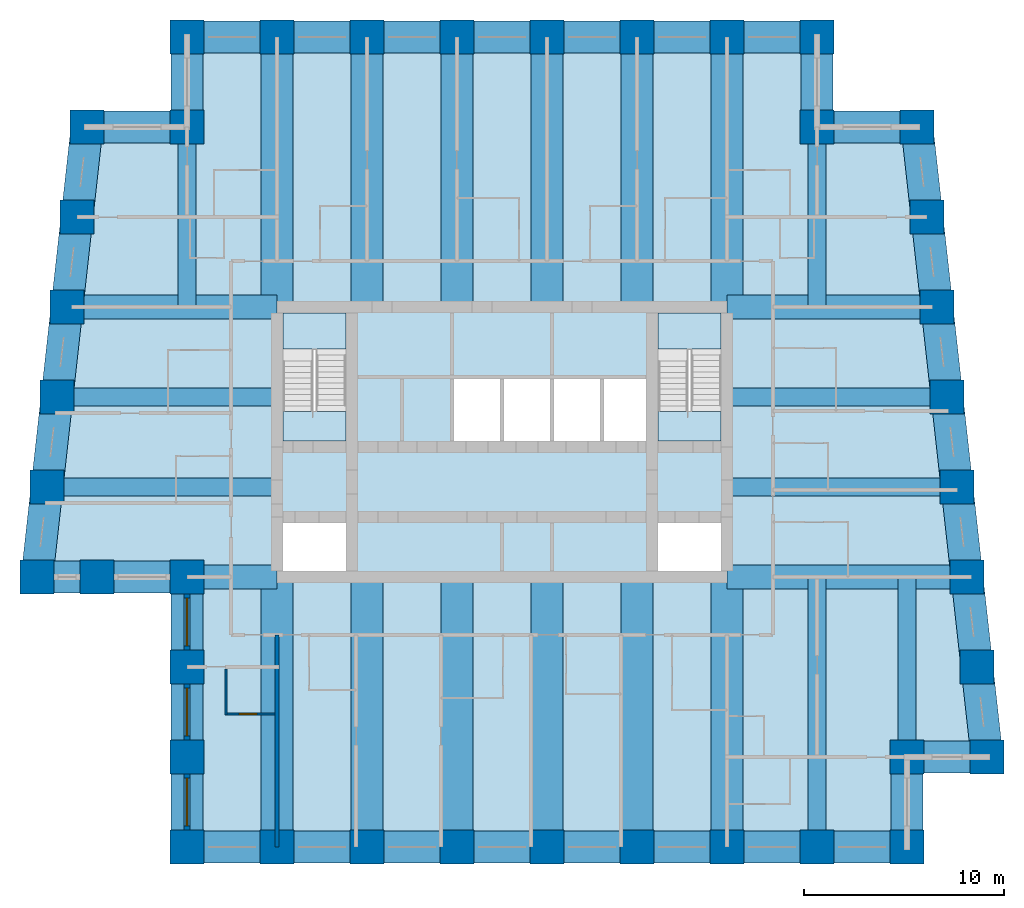
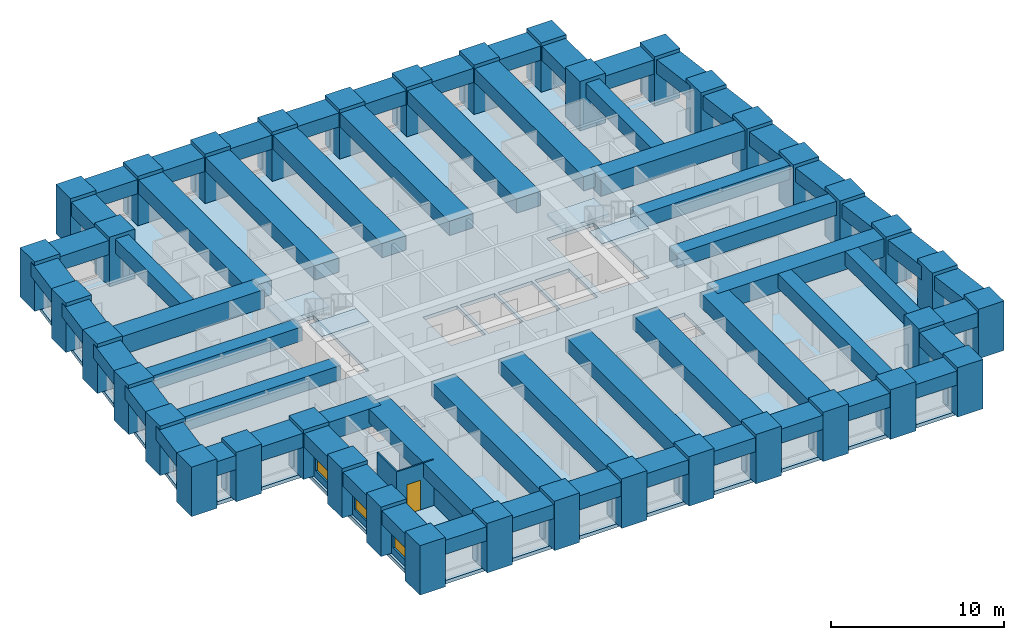
# One storey, part 1 of 8: 62 beams, 38 columns, 5 slabs, 4 walls, 3 windows, 1 door, 4 openings, 2 elements without a shape of their own.
"""IFC4 building model written with IfcOpenShell, lengths in metres."""

import ifcopenshell
import ifcopenshell.guid

model = None  # the IFC model being written
_history = None  # IfcOwnerHistory: only IFC2X3 demands one
_inside = {}  # id of a spatial element -> (the spatial element, [elements in it])
_under = {}  # id of a project, library or spatial element -> (it, [spatial elements below it])
_declared = {}  # id of a project -> (the project, [libraries it declares])
_typed = {}  # id of a type object -> (the type object, [elements of that type])
_made_of = {}  # id of a material, layer set ... -> (it, [elements and type objects made of it])


def new_model(schema):
    """Start an empty IFC model of exactly this schema.

    Asked for "IFC4X3", IfcOpenShell would pick the latest addendum, in which some entities
    have other attributes; the version numbers below select the first issue.
    IFC2X3 requires an IfcOwnerHistory on every rooted entity: one is made here for all.
    """
    global model, _history
    if schema == "IFC4X3":
        model = ifcopenshell.file(schema_version=(4, 3, 0, 0))
    else:
        model = ifcopenshell.file(schema=schema)
    _inside.clear()
    _under.clear()
    _declared.clear()
    _typed.clear()
    _made_of.clear()
    _history = None
    if model.schema == "IFC2X3":
        org = make("IfcOrganization", Name="unknown")
        user = make(
            "IfcPersonAndOrganization",
            ThePerson=make("IfcPerson", FamilyName="unknown"),
            TheOrganization=org,
        )
        app = make(
            "IfcApplication",
            ApplicationDeveloper=org,
            Version="unknown",
            ApplicationFullName="unknown",
            ApplicationIdentifier="unknown",
        )
        _history = make(
            "IfcOwnerHistory",
            OwningUser=user,
            OwningApplication=app,
            ChangeAction="ADDED",
            CreationDate=0,
        )
    return model


def make(cls, **values):
    """One entity of the class cls with the attributes given. An attribute that is None is left unset."""
    return model.create_entity(
        cls, **{name: value for name, value in values.items() if value is not None}
    )


def rooted(cls, **values):
    """An entity with a GlobalId (a new one), such as an element, a storey or a relation."""
    return make(cls, GlobalId=ifcopenshell.guid.new(), OwnerHistory=_history, **values)


def si_unit(unit_type, name, prefix=None):
    """IfcSIUnit, for example si_unit("LENGTHUNIT", "METRE", prefix="MILLI")."""
    return make("IfcSIUnit", UnitType=unit_type, Prefix=prefix, Name=name)


def assignment(units):
    """IfcUnitAssignment: the units of a project."""
    return None if units is None else make("IfcUnitAssignment", Units=units)


def point(xyz):
    """IfcCartesianPoint."""
    return None if xyz is None else make("IfcCartesianPoint", Coordinates=xyz)


def direction(xyz):
    """IfcDirection."""
    return None if xyz is None else make("IfcDirection", DirectionRatios=xyz)


def frame(location, z_axis=None, x_axis=None):
    """IfcAxis2Placement3D, a coordinate frame: its origin and axes. An axis left out is left unset."""
    return make(
        "IfcAxis2Placement3D",
        Location=point(location),
        Axis=direction(z_axis),
        RefDirection=direction(x_axis),
    )


def frame_2d(location, x_axis=None):
    """IfcAxis2Placement2D, a coordinate frame in the plane: its origin and x axis."""
    return make(
        "IfcAxis2Placement2D", Location=point(location), RefDirection=direction(x_axis)
    )


def origin():
    """The frame at (0, 0, 0) with its axes left unset."""
    return frame((0.0, 0.0, 0.0))


def origin_2d():
    """The frame at (0, 0) in the plane with its x axis left unset."""
    return frame_2d((0.0, 0.0))


def place(relative_to, where):
    """IfcLocalPlacement: puts the frame where relative to a parent placement (None: the world)."""
    return make(
        "IfcLocalPlacement", PlacementRelTo=relative_to, RelativePlacement=where
    )


def context(
    kind, dimensions, precision=None, world=None, true_north=None, identifier=None
):
    """IfcGeometricRepresentationContext, for example the 3D "Model" context."""
    return make(
        "IfcGeometricRepresentationContext",
        ContextIdentifier=identifier,
        ContextType=kind,
        CoordinateSpaceDimension=dimensions,
        Precision=precision,
        WorldCoordinateSystem=world,
        TrueNorth=true_north,
    )


def subcontext(parent, identifier, kind, view, scale=None):
    """IfcGeometricRepresentationSubContext, for example "Body" below "Model"."""
    return make(
        "IfcGeometricRepresentationSubContext",
        ContextIdentifier=identifier,
        ContextType=kind,
        ParentContext=parent,
        TargetScale=scale,
        TargetView=view,
    )


def project(units=None, contexts=None):
    """IfcProject with its units and contexts."""
    return rooted(
        "IfcProject",
        Name="project",
        RepresentationContexts=contexts,
        UnitsInContext=assignment(units),
    )


def spatial(cls, under=None, at=None, **own):
    """A site, building, storey or space (cls), placed at a placement, below another one or the project."""
    s = rooted(cls, ObjectPlacement=at, **own)
    if under is not None:
        _under.setdefault(under.id(), (under, []))[1].append(s)
    return s


def polyline(points):
    """IfcPolyline through the points."""
    return make("IfcPolyline", Points=[point(p) for p in points])


def profile(cls, at=None, kind="AREA", **sizes):
    """A parametric profile (cls). Its sizes go by their IFC names, for example OverallWidth=200.0."""
    return make(cls, ProfileType=kind, Position=at, **sizes)


def rectangle(**sizes):
    """IfcRectangleProfileDef."""
    return profile("IfcRectangleProfileDef", **sizes)


def outline(outer, holes=None, kind="AREA"):
    """IfcArbitraryClosedProfileDef: a profile drawn as a closed curve; with holes, ...WithVoids."""
    if holes is None:
        return make("IfcArbitraryClosedProfileDef", ProfileType=kind, OuterCurve=outer)
    return make(
        "IfcArbitraryProfileDefWithVoids",
        ProfileType=kind,
        OuterCurve=outer,
        InnerCurves=holes,
    )


def extrude(swept, where, along, depth):
    """IfcExtrudedAreaSolid: the profile swept, set in the frame where, extruded along a direction by depth."""
    return make(
        "IfcExtrudedAreaSolid",
        SweptArea=swept,
        Position=where,
        ExtrudedDirection=direction(along),
        Depth=depth,
    )


def shape(context_of_items, identifier, shape_type, items):
    """IfcShapeRepresentation: the items that make up one representation, for example the "Body"."""
    return make(
        "IfcShapeRepresentation",
        ContextOfItems=context_of_items,
        RepresentationIdentifier=identifier,
        RepresentationType=shape_type,
        Items=items,
    )


def material(Name=None, Category=None):
    """IfcMaterial."""
    return make("IfcMaterial", Name=Name, Category=Category)


def layer(
    of_material, thickness, ventilated=None, Name=None, Category=None, Priority=None
):
    """IfcMaterialLayer: one layer of a wall or slab, of a material (None: an air gap)."""
    return make(
        "IfcMaterialLayer",
        Material=of_material,
        LayerThickness=thickness,
        IsVentilated=ventilated,
        Name=Name,
        Category=Category,
        Priority=Priority,
    )


def layer_set(layers, Name=None):
    """IfcMaterialLayerSet."""
    return make("IfcMaterialLayerSet", MaterialLayers=layers, LayerSetName=Name)


def material_profile(
    of_material, cross_section, Name=None, Category=None, Priority=None
):
    """IfcMaterialProfile: a cross section and its material."""
    return make(
        "IfcMaterialProfile",
        Name=Name,
        Material=of_material,
        Profile=cross_section,
        Priority=Priority,
        Category=Category,
    )


def profile_set(profiles, Name=None, composite=None):
    """IfcMaterialProfileSet."""
    return make(
        "IfcMaterialProfileSet",
        Name=Name,
        MaterialProfiles=profiles,
        CompositeProfile=composite,
    )


def made_of(thing, what):
    """Note that an element or type object is made of a material, layer set ...; save() writes the relation."""
    if what is not None:
        _made_of.setdefault(what.id(), (what, []))[1].append(thing)
    return thing


def type_object(cls, material=None, **own):
    """A type object (cls), such as IfcWallType, which elements share."""
    return made_of(rooted(cls, **own), material)


def element(
    cls,
    number,
    at=None,
    inside=None,
    cuts=None,
    type_object=None,
    material=None,
    context=None,
    identifier="Body",
    shape_type=None,
    held_by="IfcProductDefinitionShape",
    body=None,
    shapes=None,
    **own,
):
    """One element of the class cls, such as IfcWall. Its Tag is "e" and its number.

    at: its placement. inside: the storey or other place that contains it. cuts: it is an
    opening in that element (IfcRelVoidsElement). A single representation is given by context,
    identifier, shape_type and body (its items); several are given by shapes. held_by: the class
    of the entity that holds the representations. save() writes the other relations.
    """
    e = rooted(cls, Tag="e%d" % number, ObjectPlacement=at, **own)
    if body is not None:
        shapes = [shape(context, identifier, shape_type, body)]
    if shapes is not None:
        e.Representation = make(held_by, Representations=shapes)
    if inside is not None:
        _inside.setdefault(inside.id(), (inside, []))[1].append(e)
    if cuts is not None:
        rooted(
            "IfcRelVoidsElement", RelatingBuildingElement=cuts, RelatedOpeningElement=e
        )
    if type_object is not None:
        _typed.setdefault(type_object.id(), (type_object, []))[1].append(e)
    return made_of(e, material)


def fill(opening, filler):
    """IfcRelFillsElement: the door or window that sits in an opening."""
    return rooted(
        "IfcRelFillsElement",
        RelatingOpeningElement=opening,
        RelatedBuildingElement=filler,
    )


def aggregate(whole, parts):
    """IfcRelAggregates: a whole, such as a stair, and the parts it consists of."""
    return rooted("IfcRelAggregates", RelatingObject=whole, RelatedObjects=parts)


def save(model, path):
    """Write the relations noted so far, then the file.

    IfcRelAggregates (storeys below a building ...), IfcRelContainedInSpatialStructure (elements
    in a storey), IfcRelDefinesByType, IfcRelAssociatesMaterial and IfcRelDeclares: one each for
    every whole, place, type object, material and project.
    """
    for whole, parts in _under.values():
        aggregate(whole, parts)
    for where, things in _inside.values():
        rooted(
            "IfcRelContainedInSpatialStructure",
            RelatedElements=things,
            RelatingStructure=where,
        )
    for kind, things in _typed.values():
        rooted("IfcRelDefinesByType", RelatedObjects=things, RelatingType=kind)
    for what, things in _made_of.values():
        rooted("IfcRelAssociatesMaterial", RelatedObjects=things, RelatingMaterial=what)
    for by, libraries in _declared.values():
        rooted("IfcRelDeclares", RelatingContext=by, RelatedDefinitions=libraries)
    model.write(path)


model = new_model("IFC4")

# Units and contexts
model_context = context("Model", 3, precision=1e-05, world=origin(), true_north=direction((0.0, 1.0)))
body_context = subcontext(model_context, "Body", "Model", "MODEL_VIEW")
ifc_project = project(units=[si_unit("LENGTHUNIT", "METRE"), si_unit("AREAUNIT", "SQUARE_METRE"), si_unit("VOLUMEUNIT", "CUBIC_METRE"), si_unit("PLANEANGLEUNIT", "RADIAN"), si_unit("MASSUNIT", "GRAM", prefix="KILO")], contexts=[model_context])

# Site, building, storey
site_placement = place(None, origin())
site = spatial("IfcSite", under=ifc_project, at=site_placement, CompositionType="ELEMENT")
building_placement = place(site_placement, origin())
building = spatial("IfcBuilding", under=site, at=building_placement, Name="Kilele Tower Hotel", CompositionType="ELEMENT")
storey_placement = place(building_placement, frame((0.0, 0.0, 204.39990234375)))
storey = spatial("IfcBuildingStorey", under=building, at=storey_placement, Name="L53", CompositionType="ELEMENT", Elevation=204.39990234375)

# Columns
ifc_material_1 = material(Name="Concrete C60/75", Category="concrete")
ifc_material_profile_1 = material_profile(ifc_material_1, rectangle(XDim=1.699951171875, YDim=1.699951171875, at=origin_2d()))
ifc_profile_set_1 = profile_set([ifc_material_profile_1], Name="Concrete C60/75")
column_type = type_object("IfcColumnType", Name="Tube column RC 1700x1700 C60/75", PredefinedType="COLUMN", material=ifc_profile_set_1)
for number, where, z_axis, x_axis, name in (
    (1, (1.5, 13.5, 0.0), (0.0, 0.0, 1.0), (1.0, 0.0, 0.0), "Column TC4 L53"),
    (2, (4.5, 13.5, 0.0), (0.0, 0.0, 1.0), (1.0, 0.0, 0.0), "Column TC4 L53"),
    (3, (9.0, 13.5, 0.0), (0.0, 0.0, 1.0), (1.0, 0.0, 0.0), "Column TC4 L53"),
    (4, (9.0, 9.0, 0.0), (0.0, 0.0, 1.0), (1.0, 0.0, 0.0), "Column TC4 L53"),
    (5, (9.0, 4.5, 0.0), (0.0, 0.0, 1.0), (1.0, 0.0, 0.0), "Column TC4 L53"),
    (6, (9.0, 0.0, 0.0), (0.0, 0.0, 1.0), (1.0, 0.0, 0.0), "Column TC4 L53"),
    (7, (13.5, 0.0, 0.0), (0.0, 0.0, 1.0), (1.0, 0.0, 0.0), "Column TC4 L53"),
    (8, (18.0, 0.0, 0.0), (0.0, 0.0, 1.0), (1.0, 0.0, 0.0), "Column TC4 L53"),
    (9, (22.5, 0.0, 0.0), (0.0, 0.0, 1.0), (1.0, 0.0, 0.0), "Column TC4 L53"),
    (10, (27.0, 0.0, 0.0), (0.0, 0.0, 1.0), (1.0, 0.0, 0.0), "Column TC4 L53"),
    (11, (31.5, 0.0, 0.0), (0.0, 0.0, 1.0), (1.0, 0.0, 0.0), "Column TC4 L53"),
    (12, (36.0, 0.0, 0.0), (0.0, 0.0, 1.0), (1.0, 0.0, 0.0), "Column TC4 L53"),
    (13, (40.5, 0.0, 0.0), (0.0, 0.0, 1.0), (1.0, 0.0, 0.0), "Column TC4 L53"),
    (14, (45.0, 0.0, 0.0), (0.0, 0.0, 1.0), (1.0, 0.0, 0.0), "Column TC4 L53"),
    (15, (45.0, 4.5, 0.0), (0.0, 0.0, 1.0), (1.0, 0.0, 0.0), "Column TC4 L53"),
    (16, (49.0, 4.5, 0.0), (0.0, 0.0, 1.0), (1.0, 0.0, 0.0), "Column TC4 L53"),
    (17, (48.5, 9.0, 0.0), (0.0, 0.0, 1.0), (1.0, 0.0, 0.0), "Column TC4 L53"),
    (18, (48.0, 13.5, 0.0), (0.0, 0.0, 1.0), (1.0, 0.0, 0.0), "Column TC4 L53"),
    (19, (47.5, 18.0, 0.0), (0.0, 0.0, 1.0), (1.0, 0.0, 0.0), "Column TC4 L53"),
    (20, (47.0, 22.5, 0.0), (0.0, 0.0, 1.0), (1.0, 0.0, 0.0), "Column TC4 L53"),
    (21, (46.5, 27.0, 0.0), (0.0, 0.0, 1.0), (1.0, 0.0, 0.0), "Column TC4 L53"),
    (22, (46.0, 31.5, 0.0), (0.0, 0.0, 1.0), (1.0, 0.0, 0.0), "Column TC4 L53"),
    (23, (45.5, 36.0, 0.0), (0.0, 0.0, 1.0), (1.0, 0.0, 0.0), "Column TC4 L53"),
    (24, (40.5, 36.0, 0.0), (0.0, 0.0, 1.0), (1.0, 0.0, 0.0), "Column TC4 L53"),
    (25, (40.5, 40.5, 0.0), (0.0, 0.0, 1.0), (1.0, 0.0, 0.0), "Column TC4 L53"),
    (26, (36.0, 40.5, 0.0), (0.0, 0.0, 1.0), (1.0, 0.0, 0.0), "Column TC4 L53"),
    (27, (31.5, 40.5, 0.0), (0.0, 0.0, 1.0), (1.0, 0.0, 0.0), "Column TC4 L53"),
    (28, (27.0, 40.5, 0.0), (0.0, 0.0, 1.0), (1.0, 0.0, 0.0), "Column TC4 L53"),
    (29, (22.5, 40.5, 0.0), (0.0, 0.0, 1.0), (1.0, 0.0, 0.0), "Column TC4 L53"),
    (30, (18.0, 40.5, 0.0), (0.0, 0.0, 1.0), (1.0, 0.0, 0.0), "Column TC4 L53"),
    (31, (13.5, 40.5, 0.0), (0.0, 0.0, 1.0), (1.0, 0.0, 0.0), "Column TC4 L53"),
    (32, (9.0, 40.5, 0.0), (0.0, 0.0, 1.0), (1.0, 0.0, 0.0), "Column TC4 L53"),
    (33, (9.0, 36.0, 0.0), (0.0, 0.0, 1.0), (1.0, 0.0, 0.0), "Column TC4 L53"),
    (34, (4.0, 36.0, 0.0), (0.0, 0.0, 1.0), (1.0, 0.0, 0.0), "Column TC4 L53"),
    (35, (3.5, 31.5, 0.0), (0.0, 0.0, 1.0), (1.0, 0.0, 0.0), "Column TC4 L53"),
    (36, (3.0, 27.0, 0.0), (0.0, 0.0, 1.0), (1.0, 0.0, 0.0), "Column TC4 L53"),
    (37, (2.5, 22.5, 0.0), (0.0, 0.0, 1.0), (1.0, 0.0, 0.0), "Column TC4 L53"),
    (38, (2.0, 18.0, 0.0), (0.0, 0.0, 1.0), (1.0, 0.0, 0.0), "Column TC4 L53"),
):
    element("IfcColumn", number, at=place(storey_placement, frame(where, z_axis=z_axis, x_axis=x_axis)), inside=storey, type_object=column_type, Name=name, PredefinedType="COLUMN", context=body_context, shape_type="SweptSolid", body=[
        extrude(rectangle(XDim=1.699951171875, YDim=1.699951171875, at=origin_2d()), origin(), (0.0, 0.0, 1.0), 3.5),
    ])

# Beams
ifc_material_2 = material(Name="Concrete C60/75", Category="concrete")
ifc_material_profile_2 = material_profile(ifc_material_2, rectangle(XDim=1.60009765625, YDim=1.0, at=origin_2d()))
ifc_profile_set_2 = profile_set([ifc_material_profile_2], Name="Concrete C60/75")
beam_type_1 = type_object("IfcBeamType", Name="Beam RC 1600x1000 C60/75", PredefinedType="BEAM", material=ifc_profile_set_2)
for number, where, z_axis, x_axis, name in (
    (39, (13.5, 0.0, 2.75), (0.0, 1.0, 0.0), (-1.0, 0.0, 0.0), "Beam BC1 level L54"),
    (40, (18.0, 0.0, 2.75), (0.0, 1.0, 0.0), (-1.0, 0.0, 0.0), "Beam BC1 level L54"),
    (41, (22.5, 0.0, 2.75), (0.0, 1.0, 0.0), (-1.0, 0.0, 0.0), "Beam BC1 level L54"),
    (42, (27.0, 0.0, 2.75), (0.0, 1.0, 0.0), (-1.0, 0.0, 0.0), "Beam BC1 level L54"),
    (43, (31.5, 0.0, 2.75), (0.0, 1.0, 0.0), (-1.0, 0.0, 0.0), "Beam BC1 level L54"),
    (44, (36.0, 0.0, 2.75), (0.0, 1.0, 0.0), (-1.0, 0.0, 0.0), "Beam BC1 level L54"),
    (45, (36.0, 40.5, 2.75), (0.0, -1.0, 0.0), (1.0, 0.0, 0.0), "Beam BC1 level L54"),
    (46, (31.5, 40.5, 2.75), (0.0, -1.0, 0.0), (1.0, 0.0, 0.0), "Beam BC1 level L54"),
    (47, (27.0, 40.5, 2.75), (0.0, -1.0, 0.0), (1.0, 0.0, 0.0), "Beam BC1 level L54"),
    (48, (22.5, 40.5, 2.75), (0.0, -1.0, 0.0), (1.0, 0.0, 0.0), "Beam BC1 level L54"),
    (49, (18.0, 40.5, 2.75), (0.0, -1.0, 0.0), (1.0, 0.0, 0.0), "Beam BC1 level L54"),
    (50, (13.5, 40.5, 2.75), (0.0, -1.0, 0.0), (1.0, 0.0, 0.0), "Beam BC1 level L54"),
):
    element("IfcBeam", number, at=place(storey_placement, frame(where, z_axis=z_axis, x_axis=x_axis)), inside=storey, type_object=beam_type_1, Name=name, PredefinedType="BEAM", context=body_context, shape_type="SweptSolid", body=[
        extrude(rectangle(XDim=1.60009765625, YDim=1.0, at=origin_2d()), origin(), (0.0, 0.0, 1.0), 13.5),
    ])
ifc_material_3 = material(Name="Concrete C60/75", Category="concrete")
ifc_material_profile_3 = material_profile(ifc_material_3, rectangle(XDim=0.89990234375, YDim=1.0, at=origin_2d()))
ifc_profile_set_3 = profile_set([ifc_material_profile_3], Name="Concrete C60/75")
beam_type_2 = type_object("IfcBeamType", Name="Beam RC 900x1000 C60/75", PredefinedType="BEAM", material=ifc_profile_set_3)
beam_1_placement = place(storey_placement, frame((40.5, 0.0, 2.75), z_axis=(0.0, 1.0, 0.0), x_axis=(-1.0, 0.0, 0.0)))
element("IfcBeam", 51, at=beam_1_placement, inside=storey, type_object=beam_type_2, Name="Beam B8 level L54", PredefinedType="BEAM", context=body_context, shape_type="SweptSolid", body=[
    extrude(rectangle(XDim=0.89990234375, YDim=1.0, at=origin_2d()), origin(), (0.0, 0.0, 1.0), 13.5),
])
beam_2_placement = place(storey_placement, frame((45.0, 4.5, 2.75), z_axis=(0.0, 1.0, 0.0), x_axis=(-1.0, 0.0, 0.0)))
element("IfcBeam", 52, at=beam_2_placement, inside=storey, type_object=beam_type_2, Name="Beam B8 level L54", PredefinedType="BEAM", context=body_context, shape_type="SweptSolid", body=[
    extrude(rectangle(XDim=0.89990234375, YDim=1.0, at=origin_2d()), origin(), (0.0, 0.0, 1.0), 9.0),
])
beam_3_placement = place(storey_placement, frame((47.5, 18.0, 2.75), z_axis=(-1.0, 0.0, 0.0), x_axis=(0.0, -1.0, 0.0)))
element("IfcBeam", 53, at=beam_3_placement, inside=storey, type_object=beam_type_2, Name="Beam B8 level L54", PredefinedType="BEAM", context=body_context, shape_type="SweptSolid", body=[
    extrude(rectangle(XDim=0.89990234375, YDim=1.0, at=origin_2d()), origin(), (0.0, 0.0, 1.0), 11.5),
])
beam_4_placement = place(storey_placement, frame((47.0, 22.5, 2.75), z_axis=(-1.0, 0.0, 0.0), x_axis=(0.0, -1.0, 0.0)))
element("IfcBeam", 54, at=beam_4_placement, inside=storey, type_object=beam_type_2, Name="Beam B8 level L54", PredefinedType="BEAM", context=body_context, shape_type="SweptSolid", body=[
    extrude(rectangle(XDim=0.89990234375, YDim=1.0, at=origin_2d()), origin(), (0.0, 0.0, 1.0), 11.0),
])
for number, where, z_axis, x_axis, name in (
    (55, (40.5, 36.0, 2.75), (0.0, -1.0, 0.0), (1.0, 0.0, 0.0), "Beam B8 level L54"),
    (56, (9.0, 36.0, 2.75), (0.0, -1.0, 0.0), (1.0, 0.0, 0.0), "Beam B8 level L54"),
):
    element("IfcBeam", number, at=place(storey_placement, frame(where, z_axis=z_axis, x_axis=x_axis)), inside=storey, type_object=beam_type_2, Name=name, PredefinedType="BEAM", context=body_context, shape_type="SweptSolid", body=[
        extrude(rectangle(XDim=0.89990234375, YDim=1.0, at=origin_2d()), origin(), (0.0, 0.0, 1.0), 9.0),
    ])
beam_5_placement = place(storey_placement, frame((2.5, 22.5, 2.75), z_axis=(1.0, 0.0, 0.0), x_axis=(0.0, 1.0, 0.0)))
element("IfcBeam", 57, at=beam_5_placement, inside=storey, type_object=beam_type_2, Name="Beam B8 level L54", PredefinedType="BEAM", context=body_context, shape_type="SweptSolid", body=[
    extrude(rectangle(XDim=0.89990234375, YDim=1.0, at=origin_2d()), origin(), (0.0, 0.0, 1.0), 11.0),
])
beam_6_placement = place(storey_placement, frame((2.0, 18.0, 2.75), z_axis=(1.0, 0.0, 0.0), x_axis=(0.0, 1.0, 0.0)))
element("IfcBeam", 58, at=beam_6_placement, inside=storey, type_object=beam_type_2, Name="Beam B8 level L54", PredefinedType="BEAM", context=body_context, shape_type="SweptSolid", body=[
    extrude(rectangle(XDim=0.89990234375, YDim=1.0, at=origin_2d()), origin(), (0.0, 0.0, 1.0), 11.5),
])
ifc_material_4 = material(Name="Concrete C60/75", Category="concrete")
ifc_material_profile_4 = material_profile(ifc_material_4, rectangle(XDim=1.199951171875, YDim=1.300048828125, at=origin_2d()))
ifc_profile_set_4 = profile_set([ifc_material_profile_4], Name="Concrete C60/75")
beam_type_3 = type_object("IfcBeamType", Name="Girder RC 1200x1300 C60/75", PredefinedType="BEAM", material=ifc_profile_set_4)
beam_7_placement = place(storey_placement, frame((48.0, 13.5, 2.60009765625), z_axis=(-1.0, 0.0, 0.0), x_axis=(0.0, -1.0, 0.0)))
element("IfcBeam", 59, at=beam_7_placement, inside=storey, type_object=beam_type_3, Name="Girder G1 level L54", PredefinedType="BEAM", context=body_context, shape_type="SweptSolid", body=[
    extrude(rectangle(XDim=1.199951171875, YDim=1.300048828125, at=origin_2d()), origin(), (0.0, 0.0, 1.0), 12.0),
])
ifc_material_5 = material(Name="Concrete C60/75", Category="concrete")
ifc_material_profile_5 = material_profile(ifc_material_5, rectangle(XDim=1.199951171875, YDim=1.300048828125, at=origin_2d()))
ifc_profile_set_5 = profile_set([ifc_material_profile_5], Name="Concrete C60/75")
beam_type_4 = type_object("IfcBeamType", Name="Girder RC 1200x1300 C60/75 mid span", PredefinedType="BEAM", material=ifc_profile_set_5)
for number, where, z_axis, x_axis, name in (
    (60, (46.5, 27.0, 2.60009765625), (-1.0, 0.0, 0.0), (0.0, -1.0, 0.0), "Girder G3 level L54"),
    (61, (3.0, 27.0, 2.60009765625), (1.0, 0.0, 0.0), (0.0, 1.0, 0.0), "Girder G3 level L54"),
):
    element("IfcBeam", number, at=place(storey_placement, frame(where, z_axis=z_axis, x_axis=x_axis)), inside=storey, type_object=beam_type_4, Name=name, PredefinedType="BEAM", context=body_context, shape_type="SweptSolid", body=[
        extrude(rectangle(XDim=1.199951171875, YDim=1.300048828125, at=origin_2d()), origin(), (0.0, 0.0, 1.0), 10.5),
    ])
ifc_material_6 = material(Name="Concrete C60/75", Category="concrete")
ifc_material_profile_6 = material_profile(ifc_material_6, rectangle(XDim=1.199951171875, YDim=1.300048828125, at=origin_2d()))
ifc_profile_set_6 = profile_set([ifc_material_profile_6], Name="Concrete C60/75")
beam_type_5 = type_object("IfcBeamType", Name="Girder RC 1200x1300 C60/75 short span", PredefinedType="BEAM", material=ifc_profile_set_6)
beam_8_placement = place(storey_placement, frame((9.0, 13.5, 2.60009765625), z_axis=(1.0, 0.0, 0.0), x_axis=(0.0, 1.0, 0.0)))
element("IfcBeam", 62, at=beam_8_placement, inside=storey, type_object=beam_type_5, Name="Girder G5 level L54", PredefinedType="BEAM", context=body_context, shape_type="SweptSolid", body=[
    extrude(rectangle(XDim=1.199951171875, YDim=1.300048828125, at=origin_2d()), origin(), (0.0, 0.0, 1.0), 4.5),
])
ifc_material_7 = material(Name="Concrete C60/75", Category="concrete")
ifc_material_profile_7 = material_profile(ifc_material_7, rectangle(XDim=1.60009765625, YDim=1.0, at=origin_2d()))
ifc_profile_set_7 = profile_set([ifc_material_profile_7], Name="Concrete C60/75")
beam_type_6 = type_object("IfcBeamType", Name="Spandrel RC 1600x1000 C60/75", PredefinedType="SPANDREL", material=ifc_profile_set_7)
beam_9_placement = place(storey_placement, frame((1.5, 13.5, 2.75), z_axis=(1.0, 0.0, 0.0), x_axis=(0.0, 1.0, 0.0)))
element("IfcBeam", 63, at=beam_9_placement, inside=storey, type_object=beam_type_6, Name="Spandrel SP2 level L54", PredefinedType="SPANDREL", context=body_context, shape_type="SweptSolid", body=[
    extrude(rectangle(XDim=1.60009765625, YDim=1.0, at=origin_2d()), origin(), (0.0, 0.0, 1.0), 3.0),
])
for number, where, z_axis, x_axis, name in (
    (64, (4.5, 13.5, 2.75), (1.0, 0.0, 0.0), (0.0, 1.0, 0.0), "Spandrel SP2 level L54"),
    (65, (9.0, 13.5, 2.75), (0.0, -1.0, 0.0), (1.0, 0.0, 0.0), "Spandrel SP2 level L54"),
    (66, (9.0, 9.0, 2.75), (0.0, -1.0, 0.0), (1.0, 0.0, 0.0), "Spandrel SP2 level L54"),
    (67, (9.0, 4.5, 2.75), (0.0, -1.0, 0.0), (1.0, 0.0, 0.0), "Spandrel SP2 level L54"),
    (68, (9.0, 0.0, 2.75), (1.0, 0.0, 0.0), (0.0, 1.0, 0.0), "Spandrel SP2 level L54"),
    (69, (13.5, 0.0, 2.75), (1.0, 0.0, 0.0), (0.0, 1.0, 0.0), "Spandrel SP2 level L54"),
    (70, (18.0, 0.0, 2.75), (1.0, 0.0, 0.0), (0.0, 1.0, 0.0), "Spandrel SP2 level L54"),
    (71, (22.5, 0.0, 2.75), (1.0, 0.0, 0.0), (0.0, 1.0, 0.0), "Spandrel SP2 level L54"),
    (72, (27.0, 0.0, 2.75), (1.0, 0.0, 0.0), (0.0, 1.0, 0.0), "Spandrel SP2 level L54"),
    (73, (31.5, 0.0, 2.75), (1.0, 0.0, 0.0), (0.0, 1.0, 0.0), "Spandrel SP2 level L54"),
    (74, (36.0, 0.0, 2.75), (1.0, 0.0, 0.0), (0.0, 1.0, 0.0), "Spandrel SP2 level L54"),
    (75, (40.5, 0.0, 2.75), (1.0, 0.0, 0.0), (0.0, 1.0, 0.0), "Spandrel SP2 level L54"),
    (76, (45.0, 0.0, 2.75), (0.0, 1.0, 0.0), (-1.0, 0.0, 0.0), "Spandrel SP2 level L54"),
):
    element("IfcBeam", number, at=place(storey_placement, frame(where, z_axis=z_axis, x_axis=x_axis)), inside=storey, type_object=beam_type_6, Name=name, PredefinedType="SPANDREL", context=body_context, shape_type="SweptSolid", body=[
        extrude(rectangle(XDim=1.60009765625, YDim=1.0, at=origin_2d()), origin(), (0.0, 0.0, 1.0), 4.5),
    ])
beam_10_placement = place(storey_placement, frame((45.0, 4.5, 2.75), z_axis=(1.0, 0.0, 0.0), x_axis=(0.0, 1.0, 0.0)))
element("IfcBeam", 77, at=beam_10_placement, inside=storey, type_object=beam_type_6, Name="Spandrel SP2 level L54", PredefinedType="SPANDREL", context=body_context, shape_type="SweptSolid", body=[
    extrude(rectangle(XDim=1.60009765625, YDim=1.0, at=origin_2d()), origin(), (0.0, 0.0, 1.0), 4.0),
])
for number, where, z_axis, x_axis, name in (
    (78, (49.0, 4.5, 2.75), (-0.110431526075, 0.993883734674, 0.0), (-0.993883734674, -0.110431526075, 0.0), "Spandrel SP2 level L54"),
    (79, (48.5, 9.0, 2.75), (-0.110431526075, 0.993883734674, 0.0), (-0.993883734674, -0.110431526075, 0.0), "Spandrel SP2 level L54"),
    (80, (48.0, 13.5, 2.75), (-0.110431526075, 0.993883734674, 0.0), (-0.993883734674, -0.110431526075, 0.0), "Spandrel SP2 level L54"),
    (81, (47.5, 18.0, 2.75), (-0.110431526075, 0.993883734674, 0.0), (-0.993883734674, -0.110431526075, 0.0), "Spandrel SP2 level L54"),
    (82, (47.0, 22.5, 2.75), (-0.110431526075, 0.993883734674, 0.0), (-0.993883734674, -0.110431526075, 0.0), "Spandrel SP2 level L54"),
    (83, (46.5, 27.0, 2.75), (-0.110431526075, 0.993883734674, 0.0), (-0.993883734674, -0.110431526075, 0.0), "Spandrel SP2 level L54"),
    (84, (46.0, 31.5, 2.75), (-0.110431526075, 0.993883734674, 0.0), (-0.993883734674, -0.110431526075, 0.0), "Spandrel SP2 level L54"),
):
    element("IfcBeam", number, at=place(storey_placement, frame(where, z_axis=z_axis, x_axis=x_axis)), inside=storey, type_object=beam_type_6, Name=name, PredefinedType="SPANDREL", context=body_context, shape_type="SweptSolid", body=[
        extrude(rectangle(XDim=1.60009765625, YDim=1.0, at=origin_2d()), origin(), (0.0, 0.0, 1.0), 4.527587890625),
    ])
beam_11_placement = place(storey_placement, frame((45.5, 36.0, 2.75), z_axis=(-1.0, 0.0, 0.0), x_axis=(0.0, -1.0, 0.0)))
element("IfcBeam", 85, at=beam_11_placement, inside=storey, type_object=beam_type_6, Name="Spandrel SP2 level L54", PredefinedType="SPANDREL", context=body_context, shape_type="SweptSolid", body=[
    extrude(rectangle(XDim=1.60009765625, YDim=1.0, at=origin_2d()), origin(), (0.0, 0.0, 1.0), 5.0),
])
for number, where, z_axis, x_axis, name in (
    (86, (40.5, 36.0, 2.75), (0.0, 1.0, 0.0), (-1.0, 0.0, 0.0), "Spandrel SP2 level L54"),
    (87, (40.5, 40.5, 2.75), (-1.0, 0.0, 0.0), (0.0, -1.0, 0.0), "Spandrel SP2 level L54"),
    (88, (36.0, 40.5, 2.75), (-1.0, 0.0, 0.0), (0.0, -1.0, 0.0), "Spandrel SP2 level L54"),
    (89, (31.5, 40.5, 2.75), (-1.0, 0.0, 0.0), (0.0, -1.0, 0.0), "Spandrel SP2 level L54"),
    (90, (27.0, 40.5, 2.75), (-1.0, 0.0, 0.0), (0.0, -1.0, 0.0), "Spandrel SP2 level L54"),
    (91, (22.5, 40.5, 2.75), (-1.0, 0.0, 0.0), (0.0, -1.0, 0.0), "Spandrel SP2 level L54"),
    (92, (18.0, 40.5, 2.75), (-1.0, 0.0, 0.0), (0.0, -1.0, 0.0), "Spandrel SP2 level L54"),
    (93, (13.5, 40.5, 2.75), (-1.0, 0.0, 0.0), (0.0, -1.0, 0.0), "Spandrel SP2 level L54"),
    (94, (9.0, 40.5, 2.75), (0.0, -1.0, 0.0), (1.0, 0.0, 0.0), "Spandrel SP2 level L54"),
):
    element("IfcBeam", number, at=place(storey_placement, frame(where, z_axis=z_axis, x_axis=x_axis)), inside=storey, type_object=beam_type_6, Name=name, PredefinedType="SPANDREL", context=body_context, shape_type="SweptSolid", body=[
        extrude(rectangle(XDim=1.60009765625, YDim=1.0, at=origin_2d()), origin(), (0.0, 0.0, 1.0), 4.5),
    ])
beam_12_placement = place(storey_placement, frame((9.0, 36.0, 2.75), z_axis=(-1.0, 0.0, 0.0), x_axis=(0.0, -1.0, 0.0)))
element("IfcBeam", 95, at=beam_12_placement, inside=storey, type_object=beam_type_6, Name="Spandrel SP2 level L54", PredefinedType="SPANDREL", context=body_context, shape_type="SweptSolid", body=[
    extrude(rectangle(XDim=1.60009765625, YDim=1.0, at=origin_2d()), origin(), (0.0, 0.0, 1.0), 5.0),
])
for number, where, z_axis, x_axis, name in (
    (96, (4.0, 36.0, 2.75), (-0.110431526075, -0.993883734674, 0.0), (0.993883734674, -0.110431526075, 0.0), "Spandrel SP2 level L54"),
    (97, (3.5, 31.5, 2.75), (-0.110431526075, -0.993883734674, 0.0), (0.993883734674, -0.110431526075, 0.0), "Spandrel SP2 level L54"),
    (98, (3.0, 27.0, 2.75), (-0.110431526075, -0.993883734674, 0.0), (0.993883734674, -0.110431526075, 0.0), "Spandrel SP2 level L54"),
    (99, (2.5, 22.5, 2.75), (-0.110431526075, -0.993883734674, 0.0), (0.993883734674, -0.110431526075, 0.0), "Spandrel SP2 level L54"),
    (100, (2.0, 18.0, 2.75), (-0.110431526075, -0.993883734674, 0.0), (0.993883734674, -0.110431526075, 0.0), "Spandrel SP2 level L54"),
):
    element("IfcBeam", number, at=place(storey_placement, frame(where, z_axis=z_axis, x_axis=x_axis)), inside=storey, type_object=beam_type_6, Name=name, PredefinedType="SPANDREL", context=body_context, shape_type="SweptSolid", body=[
        extrude(rectangle(XDim=1.60009765625, YDim=1.0, at=origin_2d()), origin(), (0.0, 0.0, 1.0), 4.527587890625),
    ])

# Slab
ifc_material_8 = material(Name="Concrete C60/75", Category="concrete")
ifc_layer_1 = layer(ifc_material_8, 0.25)
ifc_layer_set_1 = layer_set([ifc_layer_1], Name="Concrete C60/75")
slab_type_1 = type_object("IfcSlabType", Name="Floor slab 250", PredefinedType="FLOOR", material=ifc_layer_set_1)
slab_1_placement = place(storey_placement, frame((0.0, 0.0, -0.25)))
element("IfcSlab", 101, at=slab_1_placement, inside=storey, type_object=slab_type_1, Name="Floor slab L53", PredefinedType="FLOOR", context=body_context, shape_type="SweptSolid", body=[
    extrude(outline(polyline([(8.699951171875, 36.300048828125), (8.699951171875, 40.800048828125), (40.800048828125, 40.800048828125), (40.800048828125, 36.300048828125), (45.7685546875, 36.300048828125), (49.335205078125, 4.199951171875), (45.300048828125, 4.199951171875), (45.300048828125, -0.300048828125), (8.699951171875, -0.300048828125), (8.699951171875, 13.199951171875), (1.164794921875, 13.199951171875), (3.7314453125, 36.300048828125), (8.699951171875, 36.300048828125)]), holes=[polyline([(16.949951171875, 16.199951171875), (13.800048828125, 16.199951171875), (13.800048828125, 13.800048828125), (16.949951171875, 13.800048828125), (16.949951171875, 16.199951171875)]), polyline([(35.699951171875, 16.199951171875), (32.550048828125, 16.199951171875), (32.550048828125, 13.800048828125), (35.699951171875, 13.800048828125), (35.699951171875, 16.199951171875)]), polyline([(24.64990234375, 23.39990234375), (22.35009765625, 23.39990234375), (22.35009765625, 20.10009765625), (24.64990234375, 20.10009765625), (24.64990234375, 23.39990234375)]), polyline([(27.14990234375, 23.39990234375), (24.85009765625, 23.39990234375), (24.85009765625, 20.10009765625), (27.14990234375, 20.10009765625), (27.14990234375, 23.39990234375)]), polyline([(29.64990234375, 23.39990234375), (27.35009765625, 23.39990234375), (27.35009765625, 20.10009765625), (29.64990234375, 20.10009765625), (29.64990234375, 23.39990234375)]), polyline([(32.14990234375, 23.39990234375), (29.85009765625, 23.39990234375), (29.85009765625, 20.10009765625), (32.14990234375, 20.10009765625), (32.14990234375, 23.39990234375)]), polyline([(16.949951171875, 26.699951171875), (13.800048828125, 26.699951171875), (13.800048828125, 20.300048828125), (16.949951171875, 20.300048828125), (16.949951171875, 26.699951171875)]), polyline([(35.699951171875, 26.699951171875), (32.550048828125, 26.699951171875), (32.550048828125, 20.300048828125), (35.699951171875, 20.300048828125), (35.699951171875, 26.699951171875)])]), origin(), (0.0, 0.0, 1.0), 0.25),
])

# Stair, slabs
ifc_material_9 = material(Name="Precast concrete C40/50", Category="concrete")
stair_type = type_object("IfcStairType", Name="Stair 1475 x 3500", PredefinedType="HALF_TURN_STAIR", material=ifc_material_9)
stair_1_placement = place(storey_placement, origin())
stair_1 = element("IfcStair", 102, at=stair_1_placement, inside=storey, type_object=stair_type, Name="Stair 1 L53", PredefinedType="HALF_TURN_STAIR")
ifc_material_10 = material(Name="Precast concrete C40/50", Category="concrete")
ifc_layer_2 = layer(ifc_material_10, 0.199951171875)
ifc_layer_set_2 = layer_set([ifc_layer_2], Name="Precast concrete C40/50")
slab_type_2 = type_object("IfcSlabType", Name="Stair landing 200", PredefinedType="LANDING", material=ifc_layer_set_2)
slab_2_placement = place(storey_placement, frame((0.0, 0.0, 1.550048828125)))
slab_2 = element("IfcSlab", 103, at=slab_2_placement, type_object=slab_type_2, Name="ST1 landing 1", PredefinedType="LANDING", context=body_context, shape_type="SweptSolid", body=[
    extrude(outline(polyline([(13.800048828125, 24.89501953125), (16.949951171875, 24.89501953125), (16.949951171875, 26.699951171875), (13.800048828125, 26.699951171875), (13.800048828125, 24.89501953125)])), origin(), (0.0, 0.0, 1.0), 0.199951171875),
])
slab_3_placement = place(storey_placement, frame((0.0, 0.0, 3.300048828125)))
slab_3 = element("IfcSlab", 104, at=slab_3_placement, type_object=slab_type_2, Name="ST1 landing 2", PredefinedType="LANDING", context=body_context, shape_type="SweptSolid", body=[
    extrude(outline(polyline([(13.800048828125, 20.300048828125), (16.949951171875, 20.300048828125), (16.949951171875, 21.77490234375), (13.800048828125, 21.77490234375), (13.800048828125, 20.300048828125)])), origin(), (0.0, 0.0, 1.0), 0.199951171875),
])
aggregate(stair_1, [slab_2, slab_3])

stair_2_placement = place(storey_placement, origin())
stair_2 = element("IfcStair", 105, at=stair_2_placement, inside=storey, type_object=stair_type, Name="Stair 2 L53", PredefinedType="HALF_TURN_STAIR")
slab_4_placement = place(storey_placement, frame((0.0, 0.0, 1.550048828125)))
slab_4 = element("IfcSlab", 106, at=slab_4_placement, type_object=slab_type_2, Name="ST2 landing 1", PredefinedType="LANDING", context=body_context, shape_type="SweptSolid", body=[
    extrude(outline(polyline([(32.550048828125, 24.89501953125), (35.699951171875, 24.89501953125), (35.699951171875, 26.699951171875), (32.550048828125, 26.699951171875), (32.550048828125, 24.89501953125)])), origin(), (0.0, 0.0, 1.0), 0.199951171875),
])
slab_5_placement = place(storey_placement, frame((0.0, 0.0, 3.300048828125)))
slab_5 = element("IfcSlab", 107, at=slab_5_placement, type_object=slab_type_2, Name="ST2 landing 2", PredefinedType="LANDING", context=body_context, shape_type="SweptSolid", body=[
    extrude(outline(polyline([(32.550048828125, 20.300048828125), (35.699951171875, 20.300048828125), (35.699951171875, 21.77490234375), (32.550048828125, 21.77490234375), (32.550048828125, 20.300048828125)])), origin(), (0.0, 0.0, 1.0), 0.199951171875),
])
aggregate(stair_2, [slab_4, slab_5])

# Wall
ifc_material_11 = material(Name="Moisture-resistant board")
ifc_layer_3 = layer(ifc_material_11, 0.10009765625)
ifc_layer_set_3 = layer_set([ifc_layer_3], Name="Moisture-resistant board")
wall_type_1 = type_object("IfcWallType", Name="Bathroom partition 100", PredefinedType="PLUMBINGWALL", material=ifc_layer_set_3)
wall_1_placement = place(storey_placement, frame((10.949951171875, 8.89990234375, 0.0), z_axis=(0.0, 0.0, 1.0), x_axis=(0.0, -1.0, 0.0)))
element("IfcWall", 108, at=wall_1_placement, inside=storey, type_object=wall_type_1, Name="Bathroom partition 100 L53", PredefinedType="PLUMBINGWALL", context=body_context, shape_type="SweptSolid", body=[
    extrude(rectangle(XDim=2.2998046875, YDim=0.10009765625, at=frame_2d((1.14990234375, 0.0))), origin(), (0.0, 0.0, 1.0), 3.25),
])

# Wall, opening, door
wall_2_placement = place(storey_placement, frame((13.39990234375, 6.64990234375, 0.0), z_axis=(0.0, 0.0, 1.0), x_axis=(-1.0, 0.0, 0.0)))
wall_2 = element("IfcWall", 109, at=wall_2_placement, inside=storey, type_object=wall_type_1, Name="Bathroom partition 100 L53", PredefinedType="PLUMBINGWALL", context=body_context, shape_type="SweptSolid", body=[
    extrude(rectangle(XDim=2.5, YDim=0.10009765625, at=frame_2d((1.25, 0.0))), origin(), (0.0, 0.0, 1.0), 3.25),
])
opening_1_placement = place(wall_2_placement, frame((0.89990234375, 0.0, 0.0)))
opening_1 = element("IfcOpeningElement", 110, at=opening_1_placement, cuts=wall_2, Name="Opening D2A", PredefinedType="OPENING", context=body_context, shape_type="SweptSolid", body=[
    extrude(rectangle(XDim=0.89990234375, YDim=2.10009765625, at=frame_2d((0.449951171875, 1.050048828125))), frame((0.0, 0.06005859375, 0.0), z_axis=(0.0, -1.0, 0.0), x_axis=(1.0, 0.0, 0.0)), (0.0, 0.0, 1.0), 0.1201171875),
])
ifc_material_12 = material(Name="Timber door leaf in hardwood frame", Category="wood")
door_type = type_object("IfcDoorType", Name="Bathroom door 900", OperationType="SINGLE_SWING_LEFT", PredefinedType="DOOR", material=ifc_material_12)
door_placement = place(opening_1_placement, origin())
door = element("IfcDoor", 111, at=door_placement, inside=storey, type_object=door_type, Name="Bathroom door 5318B", OperationType="SINGLE_SWING_LEFT", OverallHeight=2.10009765625, OverallWidth=0.89990234375, PredefinedType="DOOR", context=body_context, shape_type="SweptSolid", body=[
    extrude(rectangle(XDim=0.89990234375, YDim=2.10009765625, at=frame_2d((0.449951171875, 1.050048828125))), frame((0.0, 0.02490234375, 0.0), z_axis=(0.0, -1.0, 0.0), x_axis=(1.0, 0.0, 0.0)), (0.0, 0.0, 1.0), 0.050048828125),
])
fill(opening_1, door)

# Wall
ifc_material_13 = material(Name="Blockwork, plastered both sides", Category="masonry")
ifc_layer_4 = layer(ifc_material_13, 0.199951171875)
ifc_layer_set_4 = layer_set([ifc_layer_4], Name="Blockwork, plastered both sides")
wall_type_2 = type_object("IfcWallType", Name="Party wall 200", PredefinedType="PARTITIONING", material=ifc_layer_set_4)
wall_3_placement = place(storey_placement, frame((13.5, 10.60009765625, 0.0), z_axis=(0.0, 0.0, 1.0), x_axis=(0.0, -1.0, 0.0)))
element("IfcWall", 112, at=wall_3_placement, inside=storey, type_object=wall_type_2, Name="Party wall 200 L53", PredefinedType="PARTITIONING", context=body_context, shape_type="SweptSolid", body=[
    extrude(rectangle(XDim=10.60009765625, YDim=0.199951171875, at=frame_2d((5.300048828125, 0.0))), origin(), (0.0, 0.0, 1.0), 2.25),
])

# Wall, openings, windows
ifc_material_14 = material(Name="Concrete C40/50 precast", Category="concrete")
ifc_layer_5 = layer(ifc_material_14, 0.260009765625, Name="Precast backing", Category="LoadBearing")
ifc_material_15 = material(Name="Reconstituted stone finish", Category="masonry")
ifc_layer_6 = layer(ifc_material_15, 0.0400390625, Name="Face mix", Category="Finish")
ifc_layer_set_5 = layer_set([ifc_layer_5, ifc_layer_6], Name="Precast concrete C40/50, reconstituted stone finish")
wall_type_3 = type_object("IfcWallType", Name="Precast stone facade wall 300", PredefinedType="STANDARD", material=ifc_layer_set_5)
wall_4_placement = place(storey_placement, frame((9.0, 13.64990234375, 0.0), z_axis=(0.0, 0.0, 1.0), x_axis=(0.0, -1.0, 0.0)))
wall_4 = element("IfcWall", 113, at=wall_4_placement, inside=storey, type_object=wall_type_3, Name="Facade wall L53 edge 2", PredefinedType="STANDARD", context=body_context, shape_type="SweptSolid", body=[
    extrude(rectangle(XDim=13.7998046875, YDim=0.300048828125, at=frame_2d((6.89990234375, 0.0))), origin(), (0.0, 0.0, 1.0), 2.25),
])
opening_2_placement = place(wall_4_placement, frame((1.199951171875, 0.0, 0.5)))
opening_2 = element("IfcOpeningElement", 114, at=opening_2_placement, cuts=wall_4, Name="Opening W3", PredefinedType="OPENING", context=body_context, shape_type="SweptSolid", body=[
    extrude(rectangle(XDim=2.39990234375, YDim=1.60009765625, at=frame_2d((1.199951171875, 0.800048828125))), frame((0.0, 0.159912109375, 0.0), z_axis=(0.0, -1.0, 0.0), x_axis=(1.0, 0.0, 0.0)), (0.0, 0.0, 1.0), 0.320068359375),
])
opening_3_placement = place(wall_4_placement, frame((5.699951171875, 0.0, 0.5)))
opening_3 = element("IfcOpeningElement", 115, at=opening_3_placement, cuts=wall_4, Name="Opening W3", PredefinedType="OPENING", context=body_context, shape_type="SweptSolid", body=[
    extrude(rectangle(XDim=2.39990234375, YDim=1.60009765625, at=frame_2d((1.199951171875, 0.800048828125))), frame((0.0, 0.159912109375, 0.0), z_axis=(0.0, -1.0, 0.0), x_axis=(1.0, 0.0, 0.0)), (0.0, 0.0, 1.0), 0.320068359375),
])
opening_4_placement = place(wall_4_placement, frame((10.199951171875, 0.0, 0.5)))
opening_4 = element("IfcOpeningElement", 116, at=opening_4_placement, cuts=wall_4, Name="Opening W3", PredefinedType="OPENING", context=body_context, shape_type="SweptSolid", body=[
    extrude(rectangle(XDim=2.39990234375, YDim=1.60009765625, at=frame_2d((1.199951171875, 0.800048828125))), frame((0.0, 0.159912109375, 0.0), z_axis=(0.0, -1.0, 0.0), x_axis=(1.0, 0.0, 0.0)), (0.0, 0.0, 1.0), 0.320068359375),
])
ifc_material_16 = material(Name="Aluminium frame, clear double glazing", Category="aluminium")
window_type = type_object("IfcWindowType", Name="Window W3 2400 x 1600", PartitioningType="SINGLE_PANEL", PredefinedType="WINDOW", material=ifc_material_16)
window_1_placement = place(opening_2_placement, origin())
window_1 = element("IfcWindow", 117, at=window_1_placement, inside=storey, type_object=window_type, Name="Window L53", OverallHeight=1.60009765625, OverallWidth=2.39990234375, PartitioningType="SINGLE_PANEL", PredefinedType="WINDOW", context=body_context, shape_type="SweptSolid", body=[
    extrude(rectangle(XDim=2.39990234375, YDim=1.60009765625, at=frame_2d((1.199951171875, 0.800048828125))), frame((0.0, 0.030029296875, 0.0), z_axis=(0.0, -1.0, 0.0), x_axis=(1.0, 0.0, 0.0)), (0.0, 0.0, 1.0), 0.06005859375),
])
fill(opening_2, window_1)
window_2_placement = place(opening_3_placement, origin())
window_2 = element("IfcWindow", 118, at=window_2_placement, inside=storey, type_object=window_type, Name="Window L53", OverallHeight=1.60009765625, OverallWidth=2.39990234375, PartitioningType="SINGLE_PANEL", PredefinedType="WINDOW", context=body_context, shape_type="SweptSolid", body=[
    extrude(rectangle(XDim=2.39990234375, YDim=1.60009765625, at=frame_2d((1.199951171875, 0.800048828125))), frame((0.0, 0.030029296875, 0.0), z_axis=(0.0, -1.0, 0.0), x_axis=(1.0, 0.0, 0.0)), (0.0, 0.0, 1.0), 0.06005859375),
])
fill(opening_3, window_2)
window_3_placement = place(opening_4_placement, origin())
window_3 = element("IfcWindow", 119, at=window_3_placement, inside=storey, type_object=window_type, Name="Window L53", OverallHeight=1.60009765625, OverallWidth=2.39990234375, PartitioningType="SINGLE_PANEL", PredefinedType="WINDOW", context=body_context, shape_type="SweptSolid", body=[
    extrude(rectangle(XDim=2.39990234375, YDim=1.60009765625, at=frame_2d((1.199951171875, 0.800048828125))), frame((0.0, 0.030029296875, 0.0), z_axis=(0.0, -1.0, 0.0), x_axis=(1.0, 0.0, 0.0)), (0.0, 0.0, 1.0), 0.06005859375),
])
fill(opening_4, window_3)

save(model, "model.ifc")
